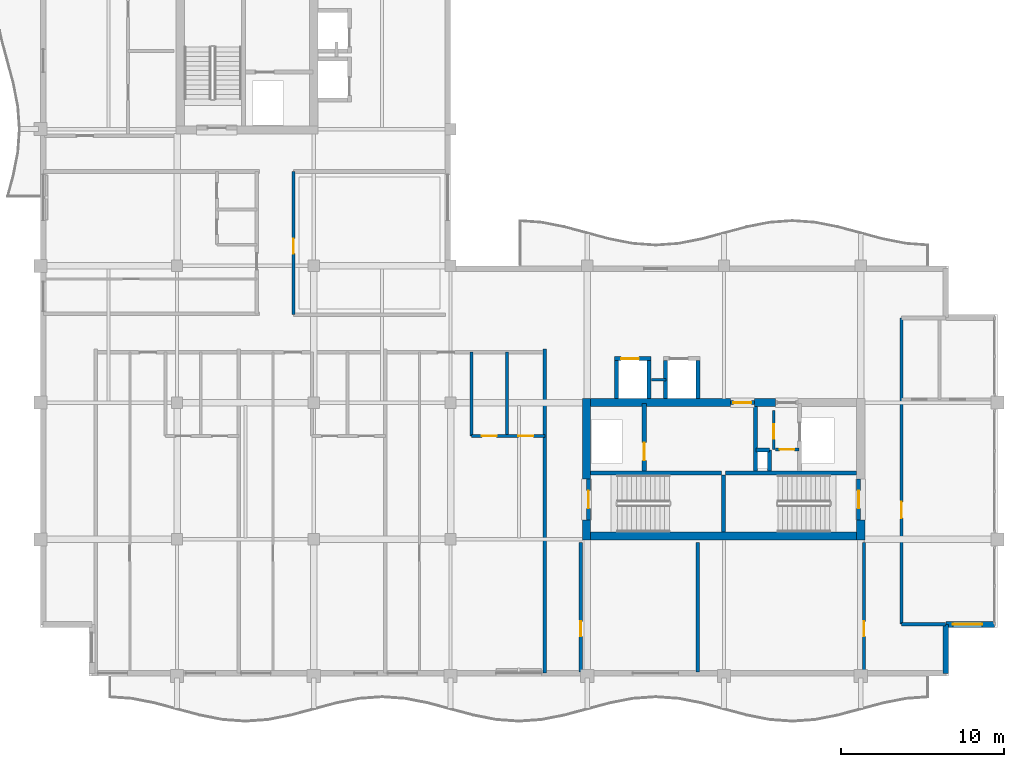
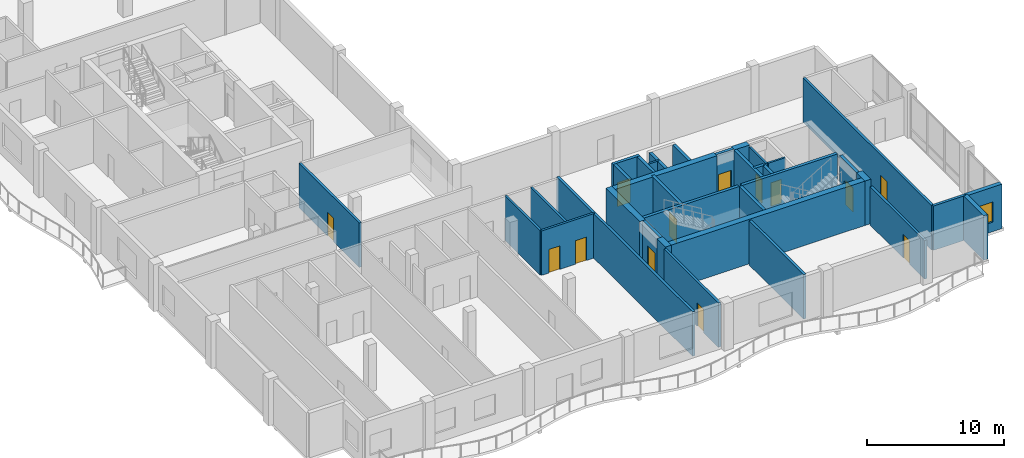
# One storey, part 8 of 16: 36 walls, 13 doors, 1 window, 14 openings.
"""IFC4 building model written with IfcOpenShell, lengths in metres."""

import ifcopenshell
import ifcopenshell.guid

model = None  # the IFC model being written
_history = None  # IfcOwnerHistory: only IFC2X3 demands one
_inside = {}  # id of a spatial element -> (the spatial element, [elements in it])
_under = {}  # id of a project, library or spatial element -> (it, [spatial elements below it])
_declared = {}  # id of a project -> (the project, [libraries it declares])
_typed = {}  # id of a type object -> (the type object, [elements of that type])
_made_of = {}  # id of a material, layer set ... -> (it, [elements and type objects made of it])


def new_model(schema):
    """Start an empty IFC model of exactly this schema.

    Asked for "IFC4X3", IfcOpenShell would pick the latest addendum, in which some entities
    have other attributes; the version numbers below select the first issue.
    IFC2X3 requires an IfcOwnerHistory on every rooted entity: one is made here for all.
    """
    global model, _history
    if schema == "IFC4X3":
        model = ifcopenshell.file(schema_version=(4, 3, 0, 0))
    else:
        model = ifcopenshell.file(schema=schema)
    _inside.clear()
    _under.clear()
    _declared.clear()
    _typed.clear()
    _made_of.clear()
    _history = None
    if model.schema == "IFC2X3":
        org = make("IfcOrganization", Name="unknown")
        user = make(
            "IfcPersonAndOrganization",
            ThePerson=make("IfcPerson", FamilyName="unknown"),
            TheOrganization=org,
        )
        app = make(
            "IfcApplication",
            ApplicationDeveloper=org,
            Version="unknown",
            ApplicationFullName="unknown",
            ApplicationIdentifier="unknown",
        )
        _history = make(
            "IfcOwnerHistory",
            OwningUser=user,
            OwningApplication=app,
            ChangeAction="ADDED",
            CreationDate=0,
        )
    return model


def make(cls, **values):
    """One entity of the class cls with the attributes given. An attribute that is None is left unset."""
    return model.create_entity(
        cls, **{name: value for name, value in values.items() if value is not None}
    )


def rooted(cls, **values):
    """An entity with a GlobalId (a new one), such as an element, a storey or a relation."""
    return make(cls, GlobalId=ifcopenshell.guid.new(), OwnerHistory=_history, **values)


def si_unit(unit_type, name, prefix=None):
    """IfcSIUnit, for example si_unit("LENGTHUNIT", "METRE", prefix="MILLI")."""
    return make("IfcSIUnit", UnitType=unit_type, Prefix=prefix, Name=name)


def assignment(units):
    """IfcUnitAssignment: the units of a project."""
    return None if units is None else make("IfcUnitAssignment", Units=units)


def point(xyz):
    """IfcCartesianPoint."""
    return None if xyz is None else make("IfcCartesianPoint", Coordinates=xyz)


def direction(xyz):
    """IfcDirection."""
    return None if xyz is None else make("IfcDirection", DirectionRatios=xyz)


def frame(location, z_axis=None, x_axis=None):
    """IfcAxis2Placement3D, a coordinate frame: its origin and axes. An axis left out is left unset."""
    return make(
        "IfcAxis2Placement3D",
        Location=point(location),
        Axis=direction(z_axis),
        RefDirection=direction(x_axis),
    )


def frame_2d(location, x_axis=None):
    """IfcAxis2Placement2D, a coordinate frame in the plane: its origin and x axis."""
    return make(
        "IfcAxis2Placement2D", Location=point(location), RefDirection=direction(x_axis)
    )


def origin():
    """The frame at (0, 0, 0) with its axes left unset."""
    return frame((0.0, 0.0, 0.0))


def place(relative_to, where):
    """IfcLocalPlacement: puts the frame where relative to a parent placement (None: the world)."""
    return make(
        "IfcLocalPlacement", PlacementRelTo=relative_to, RelativePlacement=where
    )


def context(
    kind, dimensions, precision=None, world=None, true_north=None, identifier=None
):
    """IfcGeometricRepresentationContext, for example the 3D "Model" context."""
    return make(
        "IfcGeometricRepresentationContext",
        ContextIdentifier=identifier,
        ContextType=kind,
        CoordinateSpaceDimension=dimensions,
        Precision=precision,
        WorldCoordinateSystem=world,
        TrueNorth=true_north,
    )


def subcontext(parent, identifier, kind, view, scale=None):
    """IfcGeometricRepresentationSubContext, for example "Body" below "Model"."""
    return make(
        "IfcGeometricRepresentationSubContext",
        ContextIdentifier=identifier,
        ContextType=kind,
        ParentContext=parent,
        TargetScale=scale,
        TargetView=view,
    )


def project(units=None, contexts=None):
    """IfcProject with its units and contexts."""
    return rooted(
        "IfcProject",
        Name="project",
        RepresentationContexts=contexts,
        UnitsInContext=assignment(units),
    )


def spatial(cls, under=None, at=None, **own):
    """A site, building, storey or space (cls), placed at a placement, below another one or the project."""
    s = rooted(cls, ObjectPlacement=at, **own)
    if under is not None:
        _under.setdefault(under.id(), (under, []))[1].append(s)
    return s


def profile(cls, at=None, kind="AREA", **sizes):
    """A parametric profile (cls). Its sizes go by their IFC names, for example OverallWidth=200.0."""
    return make(cls, ProfileType=kind, Position=at, **sizes)


def rectangle(**sizes):
    """IfcRectangleProfileDef."""
    return profile("IfcRectangleProfileDef", **sizes)


def extrude(swept, where, along, depth):
    """IfcExtrudedAreaSolid: the profile swept, set in the frame where, extruded along a direction by depth."""
    return make(
        "IfcExtrudedAreaSolid",
        SweptArea=swept,
        Position=where,
        ExtrudedDirection=direction(along),
        Depth=depth,
    )


def shape(context_of_items, identifier, shape_type, items):
    """IfcShapeRepresentation: the items that make up one representation, for example the "Body"."""
    return make(
        "IfcShapeRepresentation",
        ContextOfItems=context_of_items,
        RepresentationIdentifier=identifier,
        RepresentationType=shape_type,
        Items=items,
    )


def material(Name=None, Category=None):
    """IfcMaterial."""
    return make("IfcMaterial", Name=Name, Category=Category)


def layer(
    of_material, thickness, ventilated=None, Name=None, Category=None, Priority=None
):
    """IfcMaterialLayer: one layer of a wall or slab, of a material (None: an air gap)."""
    return make(
        "IfcMaterialLayer",
        Material=of_material,
        LayerThickness=thickness,
        IsVentilated=ventilated,
        Name=Name,
        Category=Category,
        Priority=Priority,
    )


def layer_set(layers, Name=None):
    """IfcMaterialLayerSet."""
    return make("IfcMaterialLayerSet", MaterialLayers=layers, LayerSetName=Name)


def made_of(thing, what):
    """Note that an element or type object is made of a material, layer set ...; save() writes the relation."""
    if what is not None:
        _made_of.setdefault(what.id(), (what, []))[1].append(thing)
    return thing


def type_object(cls, material=None, **own):
    """A type object (cls), such as IfcWallType, which elements share."""
    return made_of(rooted(cls, **own), material)


def element(
    cls,
    number,
    at=None,
    inside=None,
    cuts=None,
    type_object=None,
    material=None,
    context=None,
    identifier="Body",
    shape_type=None,
    held_by="IfcProductDefinitionShape",
    body=None,
    shapes=None,
    **own,
):
    """One element of the class cls, such as IfcWall. Its Tag is "e" and its number.

    at: its placement. inside: the storey or other place that contains it. cuts: it is an
    opening in that element (IfcRelVoidsElement). A single representation is given by context,
    identifier, shape_type and body (its items); several are given by shapes. held_by: the class
    of the entity that holds the representations. save() writes the other relations.
    """
    e = rooted(cls, Tag="e%d" % number, ObjectPlacement=at, **own)
    if body is not None:
        shapes = [shape(context, identifier, shape_type, body)]
    if shapes is not None:
        e.Representation = make(held_by, Representations=shapes)
    if inside is not None:
        _inside.setdefault(inside.id(), (inside, []))[1].append(e)
    if cuts is not None:
        rooted(
            "IfcRelVoidsElement", RelatingBuildingElement=cuts, RelatedOpeningElement=e
        )
    if type_object is not None:
        _typed.setdefault(type_object.id(), (type_object, []))[1].append(e)
    return made_of(e, material)


def fill(opening, filler):
    """IfcRelFillsElement: the door or window that sits in an opening."""
    return rooted(
        "IfcRelFillsElement",
        RelatingOpeningElement=opening,
        RelatedBuildingElement=filler,
    )


def aggregate(whole, parts):
    """IfcRelAggregates: a whole, such as a stair, and the parts it consists of."""
    return rooted("IfcRelAggregates", RelatingObject=whole, RelatedObjects=parts)


def save(model, path):
    """Write the relations noted so far, then the file.

    IfcRelAggregates (storeys below a building ...), IfcRelContainedInSpatialStructure (elements
    in a storey), IfcRelDefinesByType, IfcRelAssociatesMaterial and IfcRelDeclares: one each for
    every whole, place, type object, material and project.
    """
    for whole, parts in _under.values():
        aggregate(whole, parts)
    for where, things in _inside.values():
        rooted(
            "IfcRelContainedInSpatialStructure",
            RelatedElements=things,
            RelatingStructure=where,
        )
    for kind, things in _typed.values():
        rooted("IfcRelDefinesByType", RelatedObjects=things, RelatingType=kind)
    for what, things in _made_of.values():
        rooted("IfcRelAssociatesMaterial", RelatedObjects=things, RelatingMaterial=what)
    for by, libraries in _declared.values():
        rooted("IfcRelDeclares", RelatingContext=by, RelatedDefinitions=libraries)
    model.write(path)


model = new_model("IFC4")

# Units and contexts
model_context = context("Model", 3, precision=1e-05, world=origin(), true_north=direction((0.0, 1.0)))
body_context = subcontext(model_context, "Body", "Model", "MODEL_VIEW")
ifc_project = project(units=[si_unit("LENGTHUNIT", "METRE"), si_unit("AREAUNIT", "SQUARE_METRE"), si_unit("VOLUMEUNIT", "CUBIC_METRE"), si_unit("PLANEANGLEUNIT", "RADIAN"), si_unit("MASSUNIT", "GRAM", prefix="KILO")], contexts=[model_context])

# Site, building, storey
site_placement = place(None, origin())
site = spatial("IfcSite", under=ifc_project, at=site_placement, CompositionType="ELEMENT")
building_placement = place(site_placement, origin())
building = spatial("IfcBuilding", under=site, at=building_placement, Name="Koriwani Terraces Tower", CompositionType="ELEMENT")
storey_placement = place(building_placement, frame((0.0, 0.0, 355.39990234375)))
storey = spatial("IfcBuildingStorey", under=building, at=storey_placement, Name="L88", CompositionType="ELEMENT", Elevation=355.39990234375)

# Walls
ifc_material_1 = material(Name="Concrete C50/60", Category="concrete")
ifc_layer_1 = layer(ifc_material_1, 0.5, Name="Concrete C50/60")
ifc_layer_set_1 = layer_set([ifc_layer_1], Name="Concrete C50/60")
wall_type_1 = type_object("IfcWallType", Name="WALL_CORE_RC_500", PredefinedType="SHEAR", material=ifc_layer_set_1)
wall_1_placement = place(storey_placement, frame((41.949951171875, 16.75, 0.0), z_axis=(0.0, 0.0, 1.0), x_axis=(0.0, 1.0, 0.0)))
element("IfcWall", 1, at=wall_1_placement, inside=storey, type_object=wall_type_1, Name="L88 East Split Core Shear Wall W1", PredefinedType="SHEAR", context=body_context, shape_type="SweptSolid", body=[
    extrude(rectangle(XDim=1.25, YDim=0.5, at=frame_2d((0.625, 0.0))), origin(), (0.0, 0.0, 1.0), 3.97021484375),
])
wall_2_placement = place(storey_placement, frame((41.949951171875, 20.5, 0.0), z_axis=(0.0, 0.0, 1.0), x_axis=(0.0, 1.0, 0.0)))
element("IfcWall", 2, at=wall_2_placement, inside=storey, type_object=wall_type_1, Name="L88 East Split Core Shear Wall W2", PredefinedType="SHEAR", context=body_context, shape_type="SweptSolid", body=[
    extrude(rectangle(XDim=4.949951171875, YDim=0.5, at=frame_2d((2.47509765625, 0.0))), origin(), (0.0, 0.0, 1.0), 3.97021484375),
])
wall_3_placement = place(storey_placement, frame((58.800048828125, 16.75, 0.0), z_axis=(0.0, 0.0, 1.0), x_axis=(0.0, 1.0, 0.0)))
element("IfcWall", 3, at=wall_3_placement, inside=storey, type_object=wall_type_1, Name="L88 East Split Core Shear Wall E1", PredefinedType="SHEAR", context=body_context, shape_type="SweptSolid", body=[
    extrude(rectangle(XDim=1.25, YDim=0.5, at=frame_2d((0.625, 0.0))), origin(), (0.0, 0.0, 1.0), 3.97021484375),
])
wall_4_placement = place(storey_placement, frame((42.199951171875, 17.0, 0.0), z_axis=(0.0, 0.0, 1.0), x_axis=(1.0, 0.0, 0.0)))
element("IfcWall", 4, at=wall_4_placement, inside=storey, type_object=wall_type_1, Name="L88 East Split Core Shear Wall S1", PredefinedType="SHEAR", context=body_context, shape_type="SweptSolid", body=[
    extrude(rectangle(XDim=16.35009765625, YDim=0.5, at=frame_2d((8.175048828125, 0.0))), origin(), (0.0, 0.0, 1.0), 3.97021484375),
])
wall_5_placement = place(storey_placement, frame((42.199951171875, 25.199951171875, 0.0), z_axis=(0.0, 0.0, 1.0), x_axis=(1.0, 0.0, 0.0)))
element("IfcWall", 5, at=wall_5_placement, inside=storey, type_object=wall_type_1, Name="L88 East Split Core Shear Wall N1", PredefinedType="SHEAR", context=body_context, shape_type="SweptSolid", body=[
    extrude(rectangle(XDim=8.60009765625, YDim=0.5, at=frame_2d((4.300048828125, 0.0))), origin(), (0.0, 0.0, 1.0), 3.97021484375),
])
wall_6_placement = place(storey_placement, frame((52.280029296875, 25.199951171875, 0.0), z_axis=(0.0, 0.0, 1.0), x_axis=(1.0, 0.0, 0.0)))
element("IfcWall", 6, at=wall_6_placement, inside=storey, type_object=wall_type_1, Name="L88 East Split Core Shear Wall N2", PredefinedType="SHEAR", context=body_context, shape_type="SweptSolid", body=[
    extrude(rectangle(XDim=1.27001953125, YDim=0.5, at=frame_2d((0.635009765625, 0.0))), origin(), (0.0, 0.0, 1.0), 3.97021484375),
])

# Wall, opening, door
ifc_material_2 = material(Name="Autoclaved Cellular Concrete Blockwork", Category="masonry")
ifc_layer_2 = layer(ifc_material_2, 0.199951171875, Name="Autoclaved Cellular Concrete Blockwork")
ifc_layer_set_2 = layer_set([ifc_layer_2], Name="Autoclaved Cellular Concrete Blockwork")
wall_type_2 = type_object("IfcWallType", Name="WALL_CORRIDOR_200", PredefinedType="PARTITIONING", material=ifc_layer_set_2)
wall_7_placement = place(storey_placement, frame((23.949951171875, 30.60009765625, 0.0), z_axis=(0.0, 0.0, 1.0), x_axis=(0.0, 1.0, 0.0)))
wall_7 = element("IfcWall", 7, at=wall_7_placement, inside=storey, type_object=wall_type_2, Name="L88 Interior Wall WIC4W-L88", PredefinedType="PARTITIONING", context=body_context, shape_type="SweptSolid", body=[
    extrude(rectangle(XDim=8.7998046875, YDim=0.199951171875, at=frame_2d((4.39990234375, 0.0))), origin(), (0.0, 0.0, 1.0), 3.97021484375),
])
opening_1_placement = place(wall_7_placement, frame((3.75, 0.0, 0.0)))
opening_1 = element("IfcOpeningElement", 8, at=opening_1_placement, cuts=wall_7, Name="Opening D-06", PredefinedType="OPENING", context=body_context, shape_type="SweptSolid", body=[
    extrude(rectangle(XDim=0.919921875, YDim=2.10009765625, at=frame_2d((0.4599609375, 1.050048828125))), frame((0.0, 0.10986328125, 0.0), z_axis=(0.0, -1.0, 0.0), x_axis=(1.0, 0.0, 0.0)), (0.0, 0.0, 1.0), 0.219970703125),
])
ifc_material_3 = material(Name="Architectural Oak Fire Door", Category="wood")
door_type_1 = type_object("IfcDoorType", Name="DOOR_ROOM_INT_920X2100", OperationType="NOTDEFINED", PredefinedType="DOOR", material=ifc_material_3)
door_1_placement = place(opening_1_placement, origin())
door_1 = element("IfcDoor", 9, at=door_1_placement, inside=storey, type_object=door_type_1, Name="L88 High-Rise Court Study Door", OperationType="SINGLE_SWING_RIGHT", OverallHeight=2.10009765625, OverallWidth=0.919921875, PredefinedType="DOOR", context=body_context, shape_type="SweptSolid", body=[
    extrude(rectangle(XDim=0.919921875, YDim=2.10009765625, at=frame_2d((0.4599609375, 1.050048828125))), frame((0.0, 0.02490234375, 0.0), z_axis=(0.0, -1.0, 0.0), x_axis=(1.0, 0.0, 0.0)), (0.0, 0.0, 1.0), 0.050048828125),
])
fill(opening_1, door_1)

wall_8_placement = place(storey_placement, frame((41.60009765625, 8.64990234375, 0.0), z_axis=(0.0, 0.0, 1.0), x_axis=(0.0, 1.0, 0.0)))
wall_8 = element("IfcWall", 10, at=wall_8_placement, inside=storey, type_object=wall_type_2, Name="L88 Interior Wall WRZ4-EW-L88", PredefinedType="PARTITIONING", context=body_context, shape_type="SweptSolid", body=[
    extrude(rectangle(XDim=7.9501953125, YDim=0.199951171875, at=frame_2d((3.97509765625, 0.0))), origin(), (0.0, 0.0, 1.0), 3.97021484375),
])
opening_2_placement = place(wall_8_placement, frame((2.199951171875, 0.0, 0.0)))
opening_2 = element("IfcOpeningElement", 11, at=opening_2_placement, cuts=wall_8, Name="Opening D-06", PredefinedType="OPENING", context=body_context, shape_type="SweptSolid", body=[
    extrude(rectangle(XDim=0.919921875, YDim=2.10009765625, at=frame_2d((0.4599609375, 1.050048828125))), frame((0.0, 0.10986328125, 0.0), z_axis=(0.0, -1.0, 0.0), x_axis=(1.0, 0.0, 0.0)), (0.0, 0.0, 1.0), 0.219970703125),
])
door_2_placement = place(opening_2_placement, origin())
door_2 = element("IfcDoor", 12, at=door_2_placement, inside=storey, type_object=door_type_1, Name="L88 Resident Library Study Door", OperationType="SINGLE_SWING_LEFT", OverallHeight=2.10009765625, OverallWidth=0.919921875, PredefinedType="DOOR", context=body_context, shape_type="SweptSolid", body=[
    extrude(rectangle(XDim=0.919921875, YDim=2.10009765625, at=frame_2d((0.4599609375, 1.050048828125))), frame((0.0, 0.02490234375, 0.0), z_axis=(0.0, -1.0, 0.0), x_axis=(1.0, 0.0, 0.0)), (0.0, 0.0, 1.0), 0.050048828125),
])
fill(opening_2, door_2)

wall_9_placement = place(storey_placement, frame((59.0, 8.64990234375, 0.0), z_axis=(0.0, 0.0, 1.0), x_axis=(0.0, 1.0, 0.0)))
wall_9 = element("IfcWall", 13, at=wall_9_placement, inside=storey, type_object=wall_type_2, Name="L88 Interior Wall WRZ4-EE-L88", PredefinedType="PARTITIONING", context=body_context, shape_type="SweptSolid", body=[
    extrude(rectangle(XDim=7.9501953125, YDim=0.199951171875, at=frame_2d((3.97509765625, 0.0))), origin(), (0.0, 0.0, 1.0), 3.43115234375),
])
opening_3_placement = place(wall_9_placement, frame((2.199951171875, 0.0, 0.0)))
opening_3 = element("IfcOpeningElement", 14, at=opening_3_placement, cuts=wall_9, Name="Opening D-06", PredefinedType="OPENING", context=body_context, shape_type="SweptSolid", body=[
    extrude(rectangle(XDim=0.919921875, YDim=2.10009765625, at=frame_2d((0.4599609375, 1.050048828125))), frame((0.0, 0.10986328125, 0.0), z_axis=(0.0, -1.0, 0.0), x_axis=(1.0, 0.0, 0.0)), (0.0, 0.0, 1.0), 0.219970703125),
])
door_3_placement = place(opening_3_placement, origin())
door_3 = element("IfcDoor", 15, at=door_3_placement, inside=storey, type_object=door_type_1, Name="L88 Resident Laundry Room Door", OperationType="SINGLE_SWING_RIGHT", OverallHeight=2.10009765625, OverallWidth=0.919921875, PredefinedType="DOOR", context=body_context, shape_type="SweptSolid", body=[
    extrude(rectangle(XDim=0.919921875, YDim=2.10009765625, at=frame_2d((0.4599609375, 1.050048828125))), frame((0.0, 0.02490234375, 0.0), z_axis=(0.0, -1.0, 0.0), x_axis=(1.0, 0.0, 0.0)), (0.0, 0.0, 1.0), 0.050048828125),
])
fill(opening_3, door_3)

wall_10_placement = place(storey_placement, frame((61.300048828125, 11.60009765625, 0.0), z_axis=(0.0, 0.0, 1.0), x_axis=(0.0, 1.0, 0.0)))
wall_10 = element("IfcWall", 16, at=wall_10_placement, inside=storey, type_object=wall_type_2, Name="L88 Interior Wall WET-W-L88", PredefinedType="PARTITIONING", context=body_context, shape_type="SweptSolid", body=[
    extrude(rectangle(XDim=18.7998046875, YDim=0.199951171875, at=frame_2d((9.39990234375, 0.0))), origin(), (0.0, 0.0, 1.0), 3.97021484375),
])
opening_4_placement = place(wall_10_placement, frame((6.5, 0.0, 0.0)))
opening_4 = element("IfcOpeningElement", 17, at=opening_4_placement, cuts=wall_10, Name="Opening D-05", PredefinedType="OPENING", context=body_context, shape_type="SweptSolid", body=[
    extrude(rectangle(XDim=1.0, YDim=2.14990234375, at=frame_2d((0.5, 1.074951171875))), frame((0.0, 0.10986328125, 0.0), z_axis=(0.0, -1.0, 0.0), x_axis=(1.0, 0.0, 0.0)), (0.0, 0.0, 1.0), 0.219970703125),
])
door_type_2 = type_object("IfcDoorType", Name="DOOR_SUITE_ENTRY_1000X2150", OperationType="NOTDEFINED", PredefinedType="DOOR", material=ifc_material_3)
door_4_placement = place(opening_4_placement, origin())
door_4 = element("IfcDoor", 18, at=door_4_placement, inside=storey, type_object=door_type_2, Name="Penthouse 88ET Entrance Door", OperationType="SINGLE_SWING_LEFT", OverallHeight=2.14990234375, OverallWidth=1.0, PredefinedType="DOOR", context=body_context, shape_type="SweptSolid", body=[
    extrude(rectangle(XDim=1.0, YDim=2.14990234375, at=frame_2d((0.5, 1.074951171875))), frame((0.0, 0.02490234375, 0.0), z_axis=(0.0, -1.0, 0.0), x_axis=(1.0, 0.0, 0.0)), (0.0, 0.0, 1.0), 0.050048828125),
])
fill(opening_4, door_4)

# Walls
ifc_layer_3 = layer(ifc_material_2, 0.219970703125, Name="Autoclaved Cellular Concrete Blockwork")
ifc_layer_set_3 = layer_set([ifc_layer_3], Name="Autoclaved Cellular Concrete Blockwork")
wall_type_3 = type_object("IfcWallType", Name="WALL_DEMISING_220", PredefinedType="PARTITIONING", material=ifc_layer_set_3)
wall_11_placement = place(storey_placement, frame((48.800048828125, 8.64990234375, 0.0), z_axis=(0.0, 0.0, 1.0), x_axis=(0.0, 1.0, 0.0)))
element("IfcWall", 19, at=wall_11_placement, inside=storey, type_object=wall_type_3, Name="L88 Interior Wall WRZ4-EM-L88", PredefinedType="PARTITIONING", context=body_context, shape_type="SweptSolid", body=[
    extrude(rectangle(XDim=7.9501953125, YDim=0.219970703125, at=frame_2d((3.97509765625, 0.0))), origin(), (0.0, 0.0, 1.0), 3.97021484375),
])
wall_12_placement = place(storey_placement, frame((39.39990234375, 8.60009765625, 0.0), z_axis=(0.0, 0.0, 1.0), x_axis=(0.0, 1.0, 0.0)))
element("IfcWall", 20, at=wall_12_placement, inside=storey, type_object=wall_type_3, Name="L88 Interior Wall WRDEME-L88-SW", PredefinedType="PARTITIONING", context=body_context, shape_type="SweptSolid", body=[
    extrude(rectangle(XDim=19.8798828125, YDim=0.219970703125, at=frame_2d((9.93994140625, 0.0))), origin(), (0.0, 0.0, 1.0), 3.97021484375),
])
wall_13_placement = place(storey_placement, frame((61.300048828125, 11.60009765625, 0.0), z_axis=(0.0, 0.0, 1.0), x_axis=(1.0, 0.0, 0.0)))
element("IfcWall", 21, at=wall_13_placement, inside=storey, type_object=wall_type_3, Name="L88 Interior Wall WET-S-L88", PredefinedType="PARTITIONING", context=body_context, shape_type="SweptSolid", body=[
    extrude(rectangle(XDim=2.699951171875, YDim=0.219970703125, at=frame_2d((1.35009765625, 0.0))), origin(), (0.0, 0.0, 1.0), 3.97021484375),
])

# Wall, opening, window
ifc_layer_4 = layer(ifc_material_1, 0.35009765625, Name="Concrete C50/60")
ifc_layer_set_4 = layer_set([ifc_layer_4], Name="Concrete C50/60")
wall_type_4 = type_object("IfcWallType", Name="WALL_EXT_BRUTALIST_350", PredefinedType="STANDARD", material=ifc_layer_set_4)
wall_14_placement = place(storey_placement, frame((67.02490234375, 11.574951171875, 0.0), z_axis=(0.0, 0.0, 1.0), x_axis=(-1.0, 0.0, 0.0)))
wall_14 = element("IfcWall", 22, at=wall_14_placement, inside=storey, type_object=wall_type_4, Name="L88 Fair-Faced Brutalist Exterior Wall (N13)", PredefinedType="STANDARD", context=body_context, shape_type="SweptSolid", body=[
    extrude(rectangle(XDim=3.0, YDim=0.35009765625, at=frame_2d((1.5, 0.0))), origin(), (0.0, 0.0, 1.0), 3.97021484375),
])
opening_5_placement = place(wall_14_placement, frame((0.762451171875, 0.0, 0.85009765625)))
opening_5 = element("IfcOpeningElement", 23, at=opening_5_placement, cuts=wall_14, Name="Opening W-04", PredefinedType="OPENING", context=body_context, shape_type="SweptSolid", body=[
    extrude(rectangle(XDim=1.800048828125, YDim=1.800048828125, at=frame_2d((0.89990234375, 0.89990234375))), frame((0.0, 0.18505859375, 0.0), z_axis=(0.0, -1.0, 0.0), x_axis=(1.0, 0.0, 0.0)), (0.0, 0.0, 1.0), 0.3701171875),
])
ifc_material_4 = material(Name="Tempered Laminated Low-E Glass", Category="glass")
window_type = type_object("IfcWindowType", Name="WIN_RES_BED_1800X1800", PartitioningType="DOUBLE_PANEL_VERTICAL", PredefinedType="WINDOW", material=ifc_material_4)
window_placement = place(opening_5_placement, origin())
window = element("IfcWindow", 24, at=window_placement, inside=storey, type_object=window_type, Name="L88 Exterior Window (N13-R54)", OverallHeight=1.800048828125, OverallWidth=1.800048828125, PartitioningType="SINGLE_PANEL", PredefinedType="WINDOW", context=body_context, shape_type="SweptSolid", body=[
    extrude(rectangle(XDim=1.800048828125, YDim=1.800048828125, at=frame_2d((0.89990234375, 0.89990234375))), frame((0.0, 0.030029296875, 0.0), z_axis=(0.0, -1.0, 0.0), x_axis=(1.0, 0.0, 0.0)), (0.0, 0.0, 1.0), 0.06005859375),
])
fill(opening_5, window)

# Wall
wall_15_placement = place(storey_placement, frame((64.02490234375, 11.574951171875, 0.0), z_axis=(0.0, 0.0, 1.0), x_axis=(0.0, -1.0, 0.0)))
element("IfcWall", 25, at=wall_15_placement, inside=storey, type_object=wall_type_4, Name="L88 Fair-Faced Brutalist Exterior Wall (N14)", PredefinedType="STANDARD", context=body_context, shape_type="SweptSolid", body=[
    extrude(rectangle(XDim=3.0, YDim=0.35009765625, at=frame_2d((1.5, 0.0))), origin(), (0.0, 0.0, 1.0), 3.97021484375),
])

# Wall, openings, doors
ifc_material_5 = material(Name="Fire-Rated Acoustic Gypsum Partition", Category="masonry")
ifc_layer_5 = layer(ifc_material_5, 0.179931640625, Name="Fire-Rated Acoustic Gypsum Partition")
ifc_layer_set_5 = layer_set([ifc_layer_5], Name="Fire-Rated Acoustic Gypsum Partition")
wall_type_5 = type_object("IfcWallType", Name="WALL_PLUMBING_180", PredefinedType="PLUMBINGWALL", material=ifc_layer_set_5)
wall_16_placement = place(storey_placement, frame((34.89990234375, 23.14990234375, 0.0), z_axis=(0.0, 0.0, 1.0), x_axis=(1.0, 0.0, 0.0)))
wall_16 = element("IfcWall", 26, at=wall_16_placement, inside=storey, type_object=wall_type_5, Name="L88 Interior Wall WRSVC-L88-SW-2", PredefinedType="PLUMBINGWALL", context=body_context, shape_type="SweptSolid", body=[
    extrude(rectangle(XDim=4.5, YDim=0.179931640625, at=frame_2d((2.25, 0.0))), origin(), (0.0, 0.0, 1.0), 3.97021484375),
])
opening_6_placement = place(wall_16_placement, frame((0.6298828125, 0.0, 0.0)))
opening_6 = element("IfcOpeningElement", 27, at=opening_6_placement, cuts=wall_16, Name="Opening D-07", PredefinedType="OPENING", context=body_context, shape_type="SweptSolid", body=[
    extrude(rectangle(XDim=0.89990234375, YDim=2.10009765625, at=frame_2d((0.449951171875, 1.050048828125))), frame((0.0, 0.10009765625, 0.0), z_axis=(0.0, -1.0, 0.0), x_axis=(1.0, 0.0, 0.0)), (0.0, 0.0, 1.0), 0.199951171875),
])
opening_7_placement = place(wall_16_placement, frame((2.8701171875, 0.0, 0.0)))
opening_7 = element("IfcOpeningElement", 28, at=opening_7_placement, cuts=wall_16, Name="Opening D-06", PredefinedType="OPENING", context=body_context, shape_type="SweptSolid", body=[
    extrude(rectangle(XDim=0.919921875, YDim=2.10009765625, at=frame_2d((0.4599609375, 1.050048828125))), frame((0.0, 0.10009765625, 0.0), z_axis=(0.0, -1.0, 0.0), x_axis=(1.0, 0.0, 0.0)), (0.0, 0.0, 1.0), 0.199951171875),
])
door_type_3 = type_object("IfcDoorType", Name="DOOR_BATH_INT_900X2100", OperationType="NOTDEFINED", PredefinedType="DOOR", material=ifc_material_3)
door_5_placement = place(opening_6_placement, origin())
door_5 = element("IfcDoor", 29, at=door_5_placement, inside=storey, type_object=door_type_3, Name="Penthouse 88SW3 Bathroom Door", OperationType="SINGLE_SWING_RIGHT", OverallHeight=2.10009765625, OverallWidth=0.89990234375, PredefinedType="DOOR", context=body_context, shape_type="SweptSolid", body=[
    extrude(rectangle(XDim=0.89990234375, YDim=2.10009765625, at=frame_2d((0.449951171875, 1.050048828125))), frame((0.0, 0.02490234375, 0.0), z_axis=(0.0, -1.0, 0.0), x_axis=(1.0, 0.0, 0.0)), (0.0, 0.0, 1.0), 0.050048828125),
])
fill(opening_6, door_5)
door_6_placement = place(opening_7_placement, origin())
door_6 = element("IfcDoor", 30, at=door_6_placement, inside=storey, type_object=door_type_1, Name="Penthouse 88SW3 Kitchen Door", OperationType="SINGLE_SWING_LEFT", OverallHeight=2.10009765625, OverallWidth=0.919921875, PredefinedType="DOOR", context=body_context, shape_type="SweptSolid", body=[
    extrude(rectangle(XDim=0.919921875, YDim=2.10009765625, at=frame_2d((0.4599609375, 1.050048828125))), frame((0.0, 0.02490234375, 0.0), z_axis=(0.0, -1.0, 0.0), x_axis=(1.0, 0.0, 0.0)), (0.0, 0.0, 1.0), 0.050048828125),
])
fill(opening_7, door_6)

# Walls
for number, where, z_axis, x_axis, name in (
    (31, (34.89990234375, 23.14990234375, 0.0), (0.0, 0.0, 1.0), (0.0, 1.0, 0.0), "L88 Interior Wall WRSVCS-L88-SW-2"),
    (32, (37.06005859375, 23.14990234375, 0.0), (0.0, 0.0, 1.0), (0.0, 1.0, 0.0), "L88 Interior Wall WRSVCM-L88-SW-2"),
):
    element("IfcWall", number, at=place(storey_placement, frame(where, z_axis=z_axis, x_axis=x_axis)), inside=storey, type_object=wall_type_5, Name=name, PredefinedType="PLUMBINGWALL", context=body_context, shape_type="SweptSolid", body=[
        extrude(rectangle(XDim=5.150146484375, YDim=0.179931640625, at=frame_2d((2.5751953125, 0.0))), origin(), (0.0, 0.0, 1.0), 3.97021484375),
    ])
ifc_material_6 = material(Name="Concrete C40/50", Category="concrete")
ifc_layer_6 = layer(ifc_material_6, 0.25, Name="Concrete C40/50")
ifc_layer_set_6 = layer_set([ifc_layer_6], Name="Concrete C40/50")
wall_type_6 = type_object("IfcWallType", Name="WALL_SHAFT_RATED_250", PredefinedType="SOLIDWALL", material=ifc_layer_set_6)
for number, where, z_axis, x_axis, name in (
    (33, (42.199951171875, 20.875, 0.0), (0.0, 0.0, 1.0), (1.0, 0.0, 0.0), "L88 East Split Core Web Wall MID1"),
    (34, (50.5, 20.875, 0.0), (0.0, 0.0, 1.0), (1.0, 0.0, 0.0), "L88 East Split Core Web Wall MID2"),
):
    element("IfcWall", number, at=place(storey_placement, frame(where, z_axis=z_axis, x_axis=x_axis)), inside=storey, type_object=wall_type_6, Name=name, PredefinedType="SOLIDWALL", context=body_context, shape_type="SweptSolid", body=[
        extrude(rectangle(XDim=8.050048828125, YDim=0.25, at=frame_2d((4.02490234375, 0.0))), origin(), (0.0, 0.0, 1.0), 3.97021484375),
    ])
wall_17_placement = place(storey_placement, frame((50.375, 17.25, 0.0), z_axis=(0.0, 0.0, 1.0), x_axis=(0.0, 1.0, 0.0)))
element("IfcWall", 35, at=wall_17_placement, inside=storey, type_object=wall_type_6, Name="L88 East Split Core Stair Dividing Wall", PredefinedType="SOLIDWALL", context=body_context, shape_type="SweptSolid", body=[
    extrude(rectangle(XDim=3.5, YDim=0.25, at=frame_2d((1.75, 0.0))), origin(), (0.0, 0.0, 1.0), 3.97021484375),
])

# Wall, opening, door
wall_18_placement = place(storey_placement, frame((42.074951171875, 18.0, 0.0), z_axis=(0.0, 0.0, 1.0), x_axis=(0.0, 1.0, 0.0)))
wall_18 = element("IfcWall", 36, at=wall_18_placement, inside=storey, type_object=wall_type_6, Name="L88 Interior Wall WIN-CE-L88-STW", PredefinedType="SOLIDWALL", context=body_context, shape_type="SweptSolid", body=[
    extrude(rectangle(XDim=2.5, YDim=0.25, at=frame_2d((1.25, 0.0))), origin(), (0.0, 0.0, 1.0), 3.97021484375),
])
opening_8_placement = place(wall_18_placement, frame((0.699951171875, 0.0, 0.0)))
opening_8 = element("IfcOpeningElement", 37, at=opening_8_placement, cuts=wall_18, Name="Opening D-03", PredefinedType="OPENING", context=body_context, shape_type="SweptSolid", body=[
    extrude(rectangle(XDim=1.10009765625, YDim=2.14990234375, at=frame_2d((0.550048828125, 1.074951171875))), frame((0.0, 0.135009765625, 0.0), z_axis=(0.0, -1.0, 0.0), x_axis=(1.0, 0.0, 0.0)), (0.0, 0.0, 1.0), 0.27001953125),
])
ifc_material_7 = material(Name="Steel ASTM A572 Grade 50", Category="steel")
door_type_4 = type_object("IfcDoorType", Name="DOOR_STAIR_FIRE_1100X2150", OperationType="NOTDEFINED", PredefinedType="DOOR", material=ifc_material_7)
door_7_placement = place(opening_8_placement, origin())
door_7 = element("IfcDoor", 38, at=door_7_placement, inside=storey, type_object=door_type_4, Name="L88 Exit Stair ST-E1 Door", OperationType="SINGLE_SWING_RIGHT", OverallHeight=2.14990234375, OverallWidth=1.10009765625, PredefinedType="DOOR", context=body_context, shape_type="SweptSolid", body=[
    extrude(rectangle(XDim=1.10009765625, YDim=2.14990234375, at=frame_2d((0.550048828125, 1.074951171875))), frame((0.0, 0.02490234375, 0.0), z_axis=(0.0, -1.0, 0.0), x_axis=(1.0, 0.0, 0.0)), (0.0, 0.0, 1.0), 0.050048828125),
])
fill(opening_8, door_7)

wall_19_placement = place(storey_placement, frame((58.675048828125, 18.0, 0.0), z_axis=(0.0, 0.0, 1.0), x_axis=(0.0, 1.0, 0.0)))
wall_19 = element("IfcWall", 39, at=wall_19_placement, inside=storey, type_object=wall_type_6, Name="L88 Interior Wall WIN-CE-L88-STE", PredefinedType="SOLIDWALL", context=body_context, shape_type="SweptSolid", body=[
    extrude(rectangle(XDim=2.5, YDim=0.25, at=frame_2d((1.25, 0.0))), origin(), (0.0, 0.0, 1.0), 3.97021484375),
])
opening_9_placement = place(wall_19_placement, frame((0.699951171875, 0.0, 0.0)))
opening_9 = element("IfcOpeningElement", 40, at=opening_9_placement, cuts=wall_19, Name="Opening D-03", PredefinedType="OPENING", context=body_context, shape_type="SweptSolid", body=[
    extrude(rectangle(XDim=1.10009765625, YDim=2.14990234375, at=frame_2d((0.550048828125, 1.074951171875))), frame((0.0, 0.135009765625, 0.0), z_axis=(0.0, -1.0, 0.0), x_axis=(1.0, 0.0, 0.0)), (0.0, 0.0, 1.0), 0.27001953125),
])
door_8_placement = place(opening_9_placement, origin())
door_8 = element("IfcDoor", 41, at=door_8_placement, inside=storey, type_object=door_type_4, Name="L88 Exit Stair ST-E2 Door", OperationType="SINGLE_SWING_LEFT", OverallHeight=2.14990234375, OverallWidth=1.10009765625, PredefinedType="DOOR", context=body_context, shape_type="SweptSolid", body=[
    extrude(rectangle(XDim=1.10009765625, YDim=2.14990234375, at=frame_2d((0.550048828125, 1.074951171875))), frame((0.0, 0.02490234375, 0.0), z_axis=(0.0, -1.0, 0.0), x_axis=(1.0, 0.0, 0.0)), (0.0, 0.0, 1.0), 0.050048828125),
])
fill(opening_9, door_8)

wall_20_placement = place(storey_placement, frame((45.5, 21.0, 0.0), z_axis=(0.0, 0.0, 1.0), x_axis=(0.0, 1.0, 0.0)))
wall_20 = element("IfcWall", 42, at=wall_20_placement, inside=storey, type_object=wall_type_6, Name="L88 Interior Wall WIN-CE-L88-FE", PredefinedType="SOLIDWALL", context=body_context, shape_type="SweptSolid", body=[
    extrude(rectangle(XDim=4.14990234375, YDim=0.25, at=frame_2d((2.074951171875, 0.0))), origin(), (0.0, 0.0, 1.0), 3.97021484375),
])
opening_10_placement = place(wall_20_placement, frame((0.64990234375, 0.0, 0.0)))
opening_10 = element("IfcOpeningElement", 43, at=opening_10_placement, cuts=wall_20, Name="Opening LD-01", PredefinedType="OPENING", context=body_context, shape_type="SweptSolid", body=[
    extrude(rectangle(XDim=1.10009765625, YDim=2.14990234375, at=frame_2d((0.550048828125, 1.074951171875))), frame((0.0, 0.135009765625, 0.0), z_axis=(0.0, -1.0, 0.0), x_axis=(1.0, 0.0, 0.0)), (0.0, 0.0, 1.0), 0.27001953125),
])
door_type_5 = type_object("IfcDoorType", Name="DOOR_LIFT_LANDING_1100X2200", OperationType="NOTDEFINED", PredefinedType="DOOR", material=ifc_material_7)
door_9_placement = place(opening_10_placement, origin())
door_9 = element("IfcDoor", 44, at=door_9_placement, inside=storey, type_object=door_type_5, Name="L88 Firefighting Lift FE-02 Landing Door", OperationType="SLIDING_TO_LEFT", OverallHeight=2.14990234375, OverallWidth=1.10009765625, PredefinedType="DOOR", context=body_context, shape_type="SweptSolid", body=[
    extrude(rectangle(XDim=1.10009765625, YDim=2.14990234375, at=frame_2d((0.550048828125, 1.074951171875))), frame((0.0, 0.02490234375, 0.0), z_axis=(0.0, -1.0, 0.0), x_axis=(1.0, 0.0, 0.0)), (0.0, 0.0, 1.0), 0.050048828125),
])
fill(opening_10, door_9)

wall_21_placement = place(storey_placement, frame((50.800048828125, 25.199951171875, 0.0), z_axis=(0.0, 0.0, 1.0), x_axis=(1.0, 0.0, 0.0)))
wall_21 = element("IfcWall", 45, at=wall_21_placement, inside=storey, type_object=wall_type_6, Name="L88 Interior Wall WIN-CE-L88-NP", PredefinedType="SOLIDWALL", context=body_context, shape_type="SweptSolid", body=[
    extrude(rectangle(XDim=1.47998046875, YDim=0.25, at=frame_2d((0.739990234375, 0.0))), origin(), (0.0, 0.0, 1.0), 3.97021484375),
])
opening_11_placement = place(wall_21_placement, frame((0.179931640625, 0.0, 0.0)))
opening_11 = element("IfcOpeningElement", 46, at=opening_11_placement, cuts=wall_21, Name="Opening D-03", PredefinedType="OPENING", context=body_context, shape_type="SweptSolid", body=[
    extrude(rectangle(XDim=1.10009765625, YDim=2.14990234375, at=frame_2d((0.550048828125, 1.074951171875))), frame((0.0, 0.135009765625, 0.0), z_axis=(0.0, -1.0, 0.0), x_axis=(1.0, 0.0, 0.0)), (0.0, 0.0, 1.0), 0.27001953125),
])
door_10_placement = place(opening_11_placement, origin())
door_10 = element("IfcDoor", 47, at=door_10_placement, inside=storey, type_object=door_type_4, Name="L88 East Firefighting Lobby Door", OperationType="SINGLE_SWING_RIGHT", OverallHeight=2.14990234375, OverallWidth=1.10009765625, PredefinedType="DOOR", context=body_context, shape_type="SweptSolid", body=[
    extrude(rectangle(XDim=1.10009765625, YDim=2.14990234375, at=frame_2d((0.550048828125, 1.074951171875))), frame((0.0, 0.02490234375, 0.0), z_axis=(0.0, -1.0, 0.0), x_axis=(1.0, 0.0, 0.0)), (0.0, 0.0, 1.0), 0.050048828125),
])
fill(opening_11, door_10)

# Walls
wall_22_placement = place(storey_placement, frame((52.340087890625, 21.0, 0.0), z_axis=(0.0, 0.0, 1.0), x_axis=(0.0, 1.0, 0.0)))
element("IfcWall", 48, at=wall_22_placement, inside=storey, type_object=wall_type_6, Name="L88 Interior Wall WIN-CE-L88-FFE", PredefinedType="SOLIDWALL", context=body_context, shape_type="SweptSolid", body=[
    extrude(rectangle(XDim=3.949951171875, YDim=0.25, at=frame_2d((1.97509765625, 0.0))), origin(), (0.0, 0.0, 1.0), 3.97021484375),
])
wall_23_placement = place(storey_placement, frame((53.199951171875, 21.0, 0.0), z_axis=(0.0, 0.0, 1.0), x_axis=(0.0, 1.0, 0.0)))
element("IfcWall", 49, at=wall_23_placement, inside=storey, type_object=wall_type_6, Name="L88 Interior Wall WIN-CE-L88-RS1", PredefinedType="SOLIDWALL", context=body_context, shape_type="SweptSolid", body=[
    extrude(rectangle(XDim=1.300048828125, YDim=0.25, at=frame_2d((0.64990234375, 0.0))), origin(), (0.0, 0.0, 1.0), 3.97021484375),
])
wall_24_placement = place(storey_placement, frame((52.360107421875, 22.300048828125, 0.0), z_axis=(0.0, 0.0, 1.0), x_axis=(1.0, 0.0, 0.0)))
element("IfcWall", 50, at=wall_24_placement, inside=storey, type_object=wall_type_6, Name="L88 Interior Wall WIN-CE-L88-RS2", PredefinedType="SOLIDWALL", context=body_context, shape_type="SweptSolid", body=[
    extrude(rectangle(XDim=0.83984375, YDim=0.25, at=frame_2d((0.419921875, 0.0))), origin(), (0.0, 0.0, 1.0), 3.97021484375),
])

# Wall, opening, door
wall_25_placement = place(storey_placement, frame((43.675048828125, 27.89990234375, 0.0), z_axis=(0.0, 0.0, 1.0), x_axis=(1.0, 0.0, 0.0)))
wall_25 = element("IfcWall", 51, at=wall_25_placement, inside=storey, type_object=wall_type_6, Name="L88 Interior Wall WIN-LF-PE-H3-L88-F", PredefinedType="SOLIDWALL", context=body_context, shape_type="SweptSolid", body=[
    extrude(rectangle(XDim=2.25, YDim=0.25, at=frame_2d((1.125, 0.0))), origin(), (0.0, 0.0, 1.0), 3.97021484375),
])
opening_12_placement = place(wall_25_placement, frame((0.39990234375, 0.0, 0.0)))
opening_12 = element("IfcOpeningElement", 52, at=opening_12_placement, cuts=wall_25, Name="Opening LD-01", PredefinedType="OPENING", context=body_context, shape_type="SweptSolid", body=[
    extrude(rectangle(XDim=1.10009765625, YDim=2.14990234375, at=frame_2d((0.550048828125, 1.074951171875))), frame((0.0, 0.135009765625, 0.0), z_axis=(0.0, -1.0, 0.0), x_axis=(1.0, 0.0, 0.0)), (0.0, 0.0, 1.0), 0.27001953125),
])
door_11_placement = place(opening_12_placement, origin())
door_11 = element("IfcDoor", 53, at=door_11_placement, inside=storey, type_object=door_type_5, Name="L88 Passenger Lift PE-H3 Landing Door", OperationType="SLIDING_TO_LEFT", OverallHeight=2.14990234375, OverallWidth=1.10009765625, PredefinedType="DOOR", context=body_context, shape_type="SweptSolid", body=[
    extrude(rectangle(XDim=1.10009765625, YDim=2.14990234375, at=frame_2d((0.550048828125, 1.074951171875))), frame((0.0, 0.02490234375, 0.0), z_axis=(0.0, -1.0, 0.0), x_axis=(1.0, 0.0, 0.0)), (0.0, 0.0, 1.0), 0.050048828125),
])
fill(opening_12, door_11)

# Walls
for number, where, z_axis, x_axis, name in (
    (54, (43.800048828125, 25.449951171875, 0.0), (0.0, 0.0, 1.0), (0.0, 1.0, 0.0), "L88 Interior Wall WIN-LF-PE-H3-L88-W"),
    (55, (45.800048828125, 25.449951171875, 0.0), (0.0, 0.0, 1.0), (0.0, 1.0, 0.0), "L88 Interior Wall WIN-LF-PE-H3-L88-E"),
    (56, (46.800048828125, 25.449951171875, 0.0), (0.0, 0.0, 1.0), (0.0, 1.0, 0.0), "L88 Interior Wall WIN-LF-PE-H4-L88-W"),
    (57, (48.800048828125, 25.449951171875, 0.0), (0.0, 0.0, 1.0), (0.0, 1.0, 0.0), "L88 Interior Wall WIN-LF-PE-H4-L88-E"),
):
    element("IfcWall", number, at=place(storey_placement, frame(where, z_axis=z_axis, x_axis=x_axis)), inside=storey, type_object=wall_type_6, Name=name, PredefinedType="SOLIDWALL", context=body_context, shape_type="SweptSolid", body=[
        extrude(rectangle(XDim=2.324951171875, YDim=0.25, at=frame_2d((1.16259765625, 0.0))), origin(), (0.0, 0.0, 1.0), 3.97021484375),
    ])

# Wall, opening, door
ifc_layer_7 = layer(ifc_material_5, 0.159912109375, Name="Fire-Rated Acoustic Gypsum Partition")
ifc_layer_set_7 = layer_set([ifc_layer_7], Name="Fire-Rated Acoustic Gypsum Partition")
wall_type_7 = type_object("IfcWallType", Name="WALL_SUITE_160", PredefinedType="PARTITIONING", material=ifc_layer_set_7)
wall_26_placement = place(storey_placement, frame((53.56005859375, 22.320068359375, 0.0), z_axis=(0.0, 0.0, 1.0), x_axis=(1.0, 0.0, 0.0)))
wall_26 = element("IfcWall", 58, at=wall_26_placement, inside=storey, type_object=wall_type_7, Name="L88 Interior Wall WIN-CE-L88-SV1A", PredefinedType="PARTITIONING", context=body_context, shape_type="SweptSolid", body=[
    extrude(rectangle(XDim=1.43994140625, YDim=0.159912109375, at=frame_2d((0.719970703125, 0.0))), origin(), (0.0, 0.0, 1.0), 3.97021484375),
])
opening_13_placement = place(wall_26_placement, frame((0.260009765625, 0.0, 0.0)))
opening_13 = element("IfcOpeningElement", 59, at=opening_13_placement, cuts=wall_26, Name="Opening D-07", PredefinedType="OPENING", context=body_context, shape_type="SweptSolid", body=[
    extrude(rectangle(XDim=0.89990234375, YDim=2.10009765625, at=frame_2d((0.449951171875, 1.050048828125))), frame((0.0, 0.08984375, 0.0), z_axis=(0.0, -1.0, 0.0), x_axis=(1.0, 0.0, 0.0)), (0.0, 0.0, 1.0), 0.179931640625),
])
door_12_placement = place(opening_13_placement, origin())
door_12 = element("IfcDoor", 60, at=door_12_placement, inside=storey, type_object=door_type_3, Name="L88 East Telecom Room Door", OperationType="SINGLE_SWING_RIGHT", OverallHeight=2.10009765625, OverallWidth=0.89990234375, PredefinedType="DOOR", context=body_context, shape_type="SweptSolid", body=[
    extrude(rectangle(XDim=0.89990234375, YDim=2.10009765625, at=frame_2d((0.449951171875, 1.050048828125))), frame((0.0, 0.02490234375, 0.0), z_axis=(0.0, -1.0, 0.0), x_axis=(1.0, 0.0, 0.0)), (0.0, 0.0, 1.0), 0.050048828125),
])
fill(opening_13, door_12)

wall_27_placement = place(storey_placement, frame((53.4599609375, 22.320068359375, 0.0), z_axis=(0.0, 0.0, 1.0), x_axis=(0.0, 1.0, 0.0)))
wall_27 = element("IfcWall", 61, at=wall_27_placement, inside=storey, type_object=wall_type_7, Name="L88 Interior Wall WIN-CE-L88-SV1B", PredefinedType="PARTITIONING", context=body_context, shape_type="SweptSolid", body=[
    extrude(rectangle(XDim=2.39990234375, YDim=0.159912109375, at=frame_2d((1.199951171875, 0.0))), origin(), (0.0, 0.0, 1.0), 3.97021484375),
])
opening_14_placement = place(wall_27_placement, frame((0.64990234375, 0.0, 0.0)))
opening_14 = element("IfcOpeningElement", 62, at=opening_14_placement, cuts=wall_27, Name="Opening D-07", PredefinedType="OPENING", context=body_context, shape_type="SweptSolid", body=[
    extrude(rectangle(XDim=0.89990234375, YDim=2.10009765625, at=frame_2d((0.449951171875, 1.050048828125))), frame((0.0, 0.08984375, 0.0), z_axis=(0.0, -1.0, 0.0), x_axis=(1.0, 0.0, 0.0)), (0.0, 0.0, 1.0), 0.179931640625),
])
door_13_placement = place(opening_14_placement, origin())
door_13 = element("IfcDoor", 63, at=door_13_placement, inside=storey, type_object=door_type_3, Name="L88 East Cleaners Closet Door", OperationType="SINGLE_SWING_LEFT", OverallHeight=2.10009765625, OverallWidth=0.89990234375, PredefinedType="DOOR", context=body_context, shape_type="SweptSolid", body=[
    extrude(rectangle(XDim=0.89990234375, YDim=2.10009765625, at=frame_2d((0.449951171875, 1.050048828125))), frame((0.0, 0.02490234375, 0.0), z_axis=(0.0, -1.0, 0.0), x_axis=(1.0, 0.0, 0.0)), (0.0, 0.0, 1.0), 0.050048828125),
])
fill(opening_14, door_13)

# Wall
wall_28_placement = place(storey_placement, frame((45.9599609375, 26.60009765625, 0.0), z_axis=(0.0, 0.0, 1.0), x_axis=(1.0, 0.0, 0.0)))
element("IfcWall", 64, at=wall_28_placement, inside=storey, type_object=wall_type_7, Name="L88 Interior Wall WIN-LF-PEH34-MID-L88", PredefinedType="PARTITIONING", context=body_context, shape_type="SweptSolid", body=[
    extrude(rectangle(XDim=0.880126953125, YDim=0.159912109375, at=frame_2d((0.43994140625, 0.0))), origin(), (0.0, 0.0, 1.0), 3.97021484375),
])

save(model, "model.ifc")
